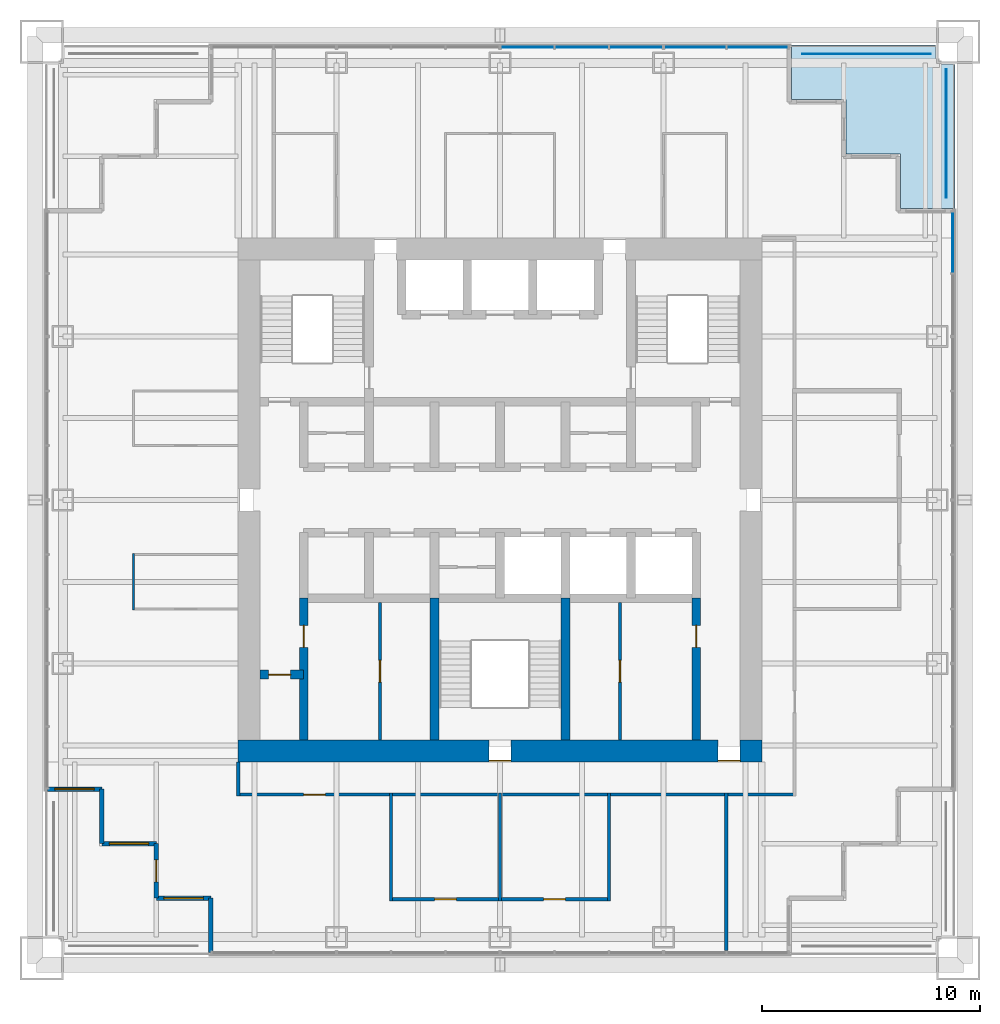
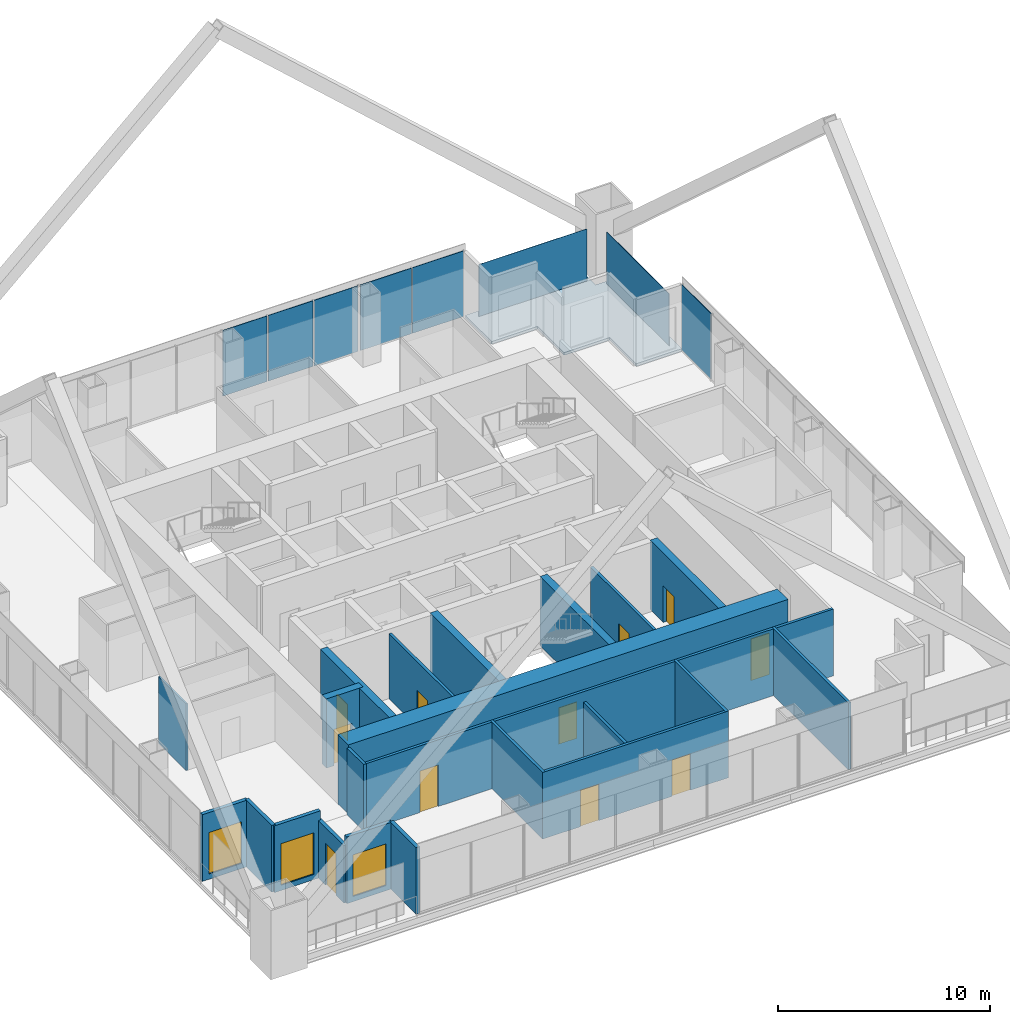
# One storey, part 13 of 18: 22 walls, 11 doors, 8 plates, 3 windows, 1 slab, 14 openings, 3 elements without a shape of their own.
"""IFC4 building model written with IfcOpenShell, lengths in metres."""

from ifc_helpers import new_model, si_unit, direction, frame, frame_2d, origin, origin_2d, place, context, subcontext, project, spatial, polyline, rectangle, outline, extrude, material, layer, layer_set, type_object, element, fill, aggregate, save


model = new_model("IFC4")

# Units and contexts
model_context = context("Model", 3, precision=1e-05, world=origin(), true_north=direction((0.0, 1.0)))
body_context = subcontext(model_context, "Body", "Model", "MODEL_VIEW")
ifc_project = project(units=[si_unit("LENGTHUNIT", "METRE"), si_unit("AREAUNIT", "SQUARE_METRE"), si_unit("VOLUMEUNIT", "CUBIC_METRE"), si_unit("PLANEANGLEUNIT", "RADIAN"), si_unit("MASSUNIT", "GRAM", prefix="KILO")], contexts=[model_context])

# Site, building, storey
site_placement = place(None, origin())
site = spatial("IfcSite", under=ifc_project, at=site_placement, CompositionType="ELEMENT")
building_placement = place(site_placement, origin())
building = spatial("IfcBuilding", under=site, at=building_placement, Name="Tarangal Relay Tower", CompositionType="ELEMENT")
storey_placement = place(building_placement, frame((0.0, 0.0, 295.89990234375)))
storey = spatial("IfcBuildingStorey", under=building, at=storey_placement, Name="L65", CompositionType="ELEMENT", Elevation=295.89990234375)

# Curtain wall, plates
ifc_material_1 = material(Name="Unitised curtain wall, dark glass and black aluminium", Category="aluminium")
curtain_wall_type = type_object("IfcCurtainWallType", Name="Curtain wall CW-B", PredefinedType="USERDEFINED", material=ifc_material_1)
curtain_wall_1_placement = place(storey_placement, origin())
curtain_wall_1 = element("IfcCurtainWall", 1, at=curtain_wall_1_placement, inside=storey, type_object=curtain_wall_type, Name="Curtain wall CW-B N facade L65", ObjectType="UNITISED CURTAIN WALL", PredefinedType="USERDEFINED")
ifc_material_2 = material(Name="Dark tinted insulated glass unit", Category="glass")
ifc_layer_1 = layer(ifc_material_2, 0.030029296875)
ifc_layer_set_1 = layer_set([ifc_layer_1], Name="Glazed panel CW-B 30")
plate_type_1 = type_object("IfcPlateType", Name="Glazed panel CW-B 30", PredefinedType="CURTAIN_PANEL", material=ifc_layer_set_1)
plate_1_placement = place(storey_placement, frame((1.264892578125, 20.75, 0.06005859375), z_axis=(0.0, 0.0, 1.0), x_axis=(1.0, 0.0, 0.0)))
plate_1 = element("IfcPlate", 2, at=plate_1_placement, type_object=plate_type_1, Name="CW-B panel 1.1", PredefinedType="CURTAIN_PANEL", context=body_context, shape_type="SweptSolid", body=[
    extrude(rectangle(XDim=2.409912109375, YDim=0.030029296875, at=origin_2d()), origin(), (0.0, 0.0, 1.0), 3.7900390625),
])
plate_2_placement = place(storey_placement, frame((3.75, 20.75, 0.06005859375), z_axis=(0.0, 0.0, 1.0), x_axis=(1.0, 0.0, 0.0)))
plate_2 = element("IfcPlate", 3, at=plate_2_placement, type_object=plate_type_1, Name="CW-B panel 2.1", PredefinedType="CURTAIN_PANEL", context=body_context, shape_type="SweptSolid", body=[
    extrude(rectangle(XDim=2.43994140625, YDim=0.030029296875, at=origin_2d()), origin(), (0.0, 0.0, 1.0), 3.7900390625),
])
plate_3_placement = place(storey_placement, frame((6.235107421875, 20.75, 0.06005859375), z_axis=(0.0, 0.0, 1.0), x_axis=(1.0, 0.0, 0.0)))
plate_3 = element("IfcPlate", 4, at=plate_3_placement, type_object=plate_type_1, Name="CW-B panel 3.1", PredefinedType="CURTAIN_PANEL", context=body_context, shape_type="SweptSolid", body=[
    extrude(rectangle(XDim=2.409912109375, YDim=0.030029296875, at=origin_2d()), origin(), (0.0, 0.0, 1.0), 3.7900390625),
])
aggregate(curtain_wall_1, [plate_1, plate_2, plate_3])

curtain_wall_2_placement = place(storey_placement, origin())
curtain_wall_2 = element("IfcCurtainWall", 5, at=curtain_wall_2_placement, inside=storey, type_object=curtain_wall_type, Name="Curtain wall CW-B N facade L65", ObjectType="UNITISED CURTAIN WALL", PredefinedType="USERDEFINED")
plate_4_placement = place(storey_placement, frame((8.952392578125, 20.75, 0.06005859375), z_axis=(0.0, 0.0, 1.0), x_axis=(1.0, 0.0, 0.0)))
plate_4 = element("IfcPlate", 6, at=plate_4_placement, type_object=plate_type_1, Name="CW-B panel 1.1", PredefinedType="CURTAIN_PANEL", context=body_context, shape_type="SweptSolid", body=[
    extrude(rectangle(XDim=2.784912109375, YDim=0.030029296875, at=origin_2d()), origin(), (0.0, 0.0, 1.0), 3.7900390625),
])
plate_5_placement = place(storey_placement, frame((11.797607421875, 20.75, 0.06005859375), z_axis=(0.0, 0.0, 1.0), x_axis=(1.0, 0.0, 0.0)))
plate_5 = element("IfcPlate", 7, at=plate_5_placement, type_object=plate_type_1, Name="CW-B panel 2.1", PredefinedType="CURTAIN_PANEL", context=body_context, shape_type="SweptSolid", body=[
    extrude(rectangle(XDim=2.784912109375, YDim=0.030029296875, at=origin_2d()), origin(), (0.0, 0.0, 1.0), 3.7900390625),
])
aggregate(curtain_wall_2, [plate_4, plate_5])

# Curtain wall, plate
curtain_wall_3_placement = place(storey_placement, origin())
curtain_wall_3 = element("IfcCurtainWall", 8, at=curtain_wall_3_placement, inside=storey, type_object=curtain_wall_type, Name="Curtain wall CW-B E facade L65", ObjectType="UNITISED CURTAIN WALL", PredefinedType="USERDEFINED")
plate_6_placement = place(storey_placement, frame((20.75, 11.797607421875, 0.06005859375), z_axis=(0.0, 0.0, 1.0), x_axis=(0.0, -1.0, 0.0)))
plate_6 = element("IfcPlate", 9, at=plate_6_placement, type_object=plate_type_1, Name="CW-B panel 1.1", PredefinedType="CURTAIN_PANEL", context=body_context, shape_type="SweptSolid", body=[
    extrude(rectangle(XDim=2.784912109375, YDim=0.030029296875, at=origin_2d()), origin(), (0.0, 0.0, 1.0), 3.7900390625),
])
aggregate(curtain_wall_3, [plate_6])

# Plates
ifc_material_3 = material(Name="Black stainless steel cable trellis with climbing planting", Category="steel")
ifc_layer_2 = layer(ifc_material_3, 0.030029296875)
ifc_layer_set_2 = layer_set([ifc_layer_2], Name="Planted trellis screen")
plate_type_2 = type_object("IfcPlateType", Name="Planted trellis screen", PredefinedType="SHEET", material=ifc_layer_set_2)
plate_7_placement = place(storey_placement, frame((20.449951171875, 16.800048828125, 0.0), z_axis=(0.0, 0.0, 1.0), x_axis=(0.0, -1.0, 0.0)))
element("IfcPlate", 10, at=plate_7_placement, inside=storey, type_object=plate_type_2, Name="Planted trellis SC2 NE L65", PredefinedType="SHEET", context=body_context, shape_type="SweptSolid", body=[
    extrude(rectangle(XDim=5.89990234375, YDim=0.030029296875, at=origin_2d()), origin(), (0.0, 0.0, 1.0), 3.0),
])
ifc_material_4 = material(Name="Perforated black aluminium screen", Category="aluminium")
ifc_layer_3 = layer(ifc_material_4, 0.02001953125)
ifc_layer_set_3 = layer_set([ifc_layer_3], Name="Terrace screen panel")
plate_type_3 = type_object("IfcPlateType", Name="Terrace screen panel", PredefinedType="SHEET", material=ifc_layer_set_3)
plate_8_placement = place(storey_placement, frame((16.800048828125, 20.449951171875, 0.0), z_axis=(0.0, 0.0, 1.0), x_axis=(1.0, 0.0, 0.0)))
element("IfcPlate", 11, at=plate_8_placement, inside=storey, type_object=plate_type_3, Name="Terrace screen SC1 NE L65", PredefinedType="SHEET", context=body_context, shape_type="SweptSolid", body=[
    extrude(rectangle(XDim=5.89990234375, YDim=0.02001953125, at=origin_2d()), origin(), (0.0, 0.0, 1.0), 3.0),
])

# Slab
ifc_material_5 = material(Name="Concrete fc' 35 MPa", Category="concrete")
ifc_layer_4 = layer(ifc_material_5, 0.14990234375)
ifc_layer_set_4 = layer_set([ifc_layer_4], Name="Terrace slab 150")
slab_type = type_object("IfcSlabType", Name="Terrace slab 150", PredefinedType="FLOOR", material=ifc_layer_set_4)
slab_placement = place(storey_placement, frame((0.0, 0.0, -0.14990234375)))
element("IfcSlab", 12, at=slab_placement, inside=storey, type_object=slab_type, Name="Corner terrace NE L65", PredefinedType="FLOOR", context=body_context, shape_type="SweptSolid", body=[
    extrude(outline(polyline([(13.35009765625, 20.85009765625), (13.35009765625, 18.35009765625), (15.85009765625, 18.35009765625), (15.85009765625, 15.85009765625), (18.35009765625, 15.85009765625), (18.35009765625, 13.35009765625), (20.85009765625, 13.35009765625), (20.85009765625, 19.949951171875), (19.949951171875, 19.949951171875), (19.949951171875, 20.85009765625), (13.35009765625, 20.85009765625)])), origin(), (0.0, 0.0, 1.0), 0.14990234375),
])

# Wall, opening, door
ifc_material_6 = material(Name="Concrete fc' 60 MPa", Category="concrete")
ifc_layer_5 = layer(ifc_material_6, 0.39990234375)
ifc_layer_set_5 = layer_set([ifc_layer_5], Name="Core inner wall 400")
wall_type_1 = type_object("IfcWallType", Name="Core inner wall 400", PredefinedType="SHEAR", material=ifc_layer_set_5)
wall_1_placement = place(storey_placement, frame((-11.0, -8.0, 0.0), z_axis=(0.0, 0.0, 1.0), x_axis=(1.0, 0.0, 0.0)))
wall_1 = element("IfcWall", 13, at=wall_1_placement, inside=storey, type_object=wall_type_1, Name="Core wall YM8 L65", PredefinedType="SHEAR", context=body_context, shape_type="SweptSolid", body=[
    extrude(rectangle(XDim=2.0, YDim=0.39990234375, at=frame_2d((1.0, 0.0))), origin(), (0.0, 0.0, 1.0), 4.0),
])
opening_1_placement = place(wall_1_placement, frame((0.39990234375, 0.0, 0.0)))
opening_1 = element("IfcOpeningElement", 14, at=opening_1_placement, cuts=wall_1, Name="Opening D1", PredefinedType="OPENING", context=body_context, shape_type="SweptSolid", body=[
    extrude(rectangle(XDim=1.0, YDim=2.10009765625, at=frame_2d((0.5, 1.050048828125))), frame((0.0, 0.2099609375, 0.0), z_axis=(0.0, -1.0, 0.0), x_axis=(1.0, 0.0, 0.0)), (0.0, 0.0, 1.0), 0.419921875),
])
ifc_material_7 = material(Name="Hardwood door", Category="wood")
door_type_1 = type_object("IfcDoorType", Name="WC door 1000 x 2100", OperationType="SINGLE_SWING_LEFT", PredefinedType="DOOR", material=ifc_material_7)
door_1_placement = place(opening_1_placement, origin())
door_1 = element("IfcDoor", 15, at=door_1_placement, inside=storey, type_object=door_type_1, Name="Accessible WC door L65", OperationType="SINGLE_SWING_LEFT", OverallHeight=2.10009765625, OverallWidth=1.0, PredefinedType="DOOR", context=body_context, shape_type="SweptSolid", body=[
    extrude(rectangle(XDim=1.0, YDim=2.10009765625, at=frame_2d((0.5, 1.050048828125))), frame((0.0, 0.02490234375, 0.0), z_axis=(0.0, -1.0, 0.0), x_axis=(1.0, 0.0, 0.0)), (0.0, 0.0, 1.0), 0.050048828125),
])
fill(opening_1, door_1)

wall_2_placement = place(storey_placement, frame((-9.0, -11.0, 0.0), z_axis=(0.0, 0.0, 1.0), x_axis=(0.0, 1.0, 0.0)))
wall_2 = element("IfcWall", 16, at=wall_2_placement, inside=storey, type_object=wall_type_1, Name="Core wall XM9W L65", PredefinedType="SHEAR", context=body_context, shape_type="SweptSolid", body=[
    extrude(rectangle(XDim=6.5, YDim=0.39990234375, at=frame_2d((3.25, 0.0))), origin(), (0.0, 0.0, 1.0), 4.0),
])
opening_2_placement = place(wall_2_placement, frame((4.25, 0.0, 0.0)))
opening_2 = element("IfcOpeningElement", 17, at=opening_2_placement, cuts=wall_2, Name="Opening D1", PredefinedType="OPENING", context=body_context, shape_type="SweptSolid", body=[
    extrude(rectangle(XDim=1.0, YDim=2.10009765625, at=frame_2d((0.5, 1.050048828125))), frame((0.0, 0.2099609375, 0.0), z_axis=(0.0, -1.0, 0.0), x_axis=(1.0, 0.0, 0.0)), (0.0, 0.0, 1.0), 0.419921875),
])
door_2_placement = place(opening_2_placement, origin())
door_2 = element("IfcDoor", 18, at=door_2_placement, inside=storey, type_object=door_type_1, Name="Male WC door L65", OperationType="SINGLE_SWING_LEFT", OverallHeight=2.10009765625, OverallWidth=1.0, PredefinedType="DOOR", context=body_context, shape_type="SweptSolid", body=[
    extrude(rectangle(XDim=1.0, YDim=2.10009765625, at=frame_2d((0.5, 1.050048828125))), frame((0.0, 0.02490234375, 0.0), z_axis=(0.0, -1.0, 0.0), x_axis=(1.0, 0.0, 0.0)), (0.0, 0.0, 1.0), 0.050048828125),
])
fill(opening_2, door_2)

wall_3_placement = place(storey_placement, frame((9.0, -11.0, 0.0), z_axis=(0.0, 0.0, 1.0), x_axis=(0.0, 1.0, 0.0)))
wall_3 = element("IfcWall", 19, at=wall_3_placement, inside=storey, type_object=wall_type_1, Name="Core wall X9W L65", PredefinedType="SHEAR", context=body_context, shape_type="SweptSolid", body=[
    extrude(rectangle(XDim=6.5, YDim=0.39990234375, at=frame_2d((3.25, 0.0))), origin(), (0.0, 0.0, 1.0), 4.0),
])
opening_3_placement = place(wall_3_placement, frame((4.25, 0.0, 0.0)))
opening_3 = element("IfcOpeningElement", 20, at=opening_3_placement, cuts=wall_3, Name="Opening D1", PredefinedType="OPENING", context=body_context, shape_type="SweptSolid", body=[
    extrude(rectangle(XDim=1.0, YDim=2.10009765625, at=frame_2d((0.5, 1.050048828125))), frame((0.0, 0.2099609375, 0.0), z_axis=(0.0, -1.0, 0.0), x_axis=(1.0, 0.0, 0.0)), (0.0, 0.0, 1.0), 0.419921875),
])
door_3_placement = place(opening_3_placement, origin())
door_3 = element("IfcDoor", 21, at=door_3_placement, inside=storey, type_object=door_type_1, Name="Female WC door L65", OperationType="SINGLE_SWING_LEFT", OverallHeight=2.10009765625, OverallWidth=1.0, PredefinedType="DOOR", context=body_context, shape_type="SweptSolid", body=[
    extrude(rectangle(XDim=1.0, YDim=2.10009765625, at=frame_2d((0.5, 1.050048828125))), frame((0.0, 0.02490234375, 0.0), z_axis=(0.0, -1.0, 0.0), x_axis=(1.0, 0.0, 0.0)), (0.0, 0.0, 1.0), 0.050048828125),
])
fill(opening_3, door_3)

# Walls
for number, where, z_axis, x_axis, name in (
    (22, (-3.0, -11.0, 0.0), (0.0, 0.0, 1.0), (0.0, 1.0, 0.0), "Core wall XM3W L65"),
    (23, (3.0, -11.0, 0.0), (0.0, 0.0, 1.0), (0.0, 1.0, 0.0), "Core wall X3W L65"),
):
    element("IfcWall", number, at=place(storey_placement, frame(where, z_axis=z_axis, x_axis=x_axis)), inside=storey, type_object=wall_type_1, Name=name, PredefinedType="SHEAR", context=body_context, shape_type="SweptSolid", body=[
        extrude(rectangle(XDim=6.5, YDim=0.39990234375, at=frame_2d((3.25, 0.0))), origin(), (0.0, 0.0, 1.0), 4.0),
    ])

# Wall, openings, doors
ifc_layer_6 = layer(ifc_material_6, 1.0)
ifc_layer_set_6 = layer_set([ifc_layer_6], Name="Core wall 1000")
wall_type_2 = type_object("IfcWallType", Name="Core wall 1000", PredefinedType="SHEAR", material=ifc_layer_set_6)
wall_4_placement = place(storey_placement, frame((12.0, -11.5, 0.0), z_axis=(0.0, 0.0, 1.0), x_axis=(-1.0, 0.0, 0.0)))
wall_4 = element("IfcWall", 24, at=wall_4_placement, inside=storey, type_object=wall_type_2, Name="Core wall S L65", PredefinedType="SHEAR", context=body_context, shape_type="SweptSolid", body=[
    extrude(rectangle(XDim=24.0, YDim=1.0, at=frame_2d((12.0, 0.0))), origin(), (0.0, 0.0, 1.0), 4.0),
])
opening_4_placement = place(wall_4_placement, frame((11.5, 0.0, 0.0)))
opening_4 = element("IfcOpeningElement", 25, at=opening_4_placement, cuts=wall_4, Name="Opening FD1", PredefinedType="OPENING", context=body_context, shape_type="SweptSolid", body=[
    extrude(rectangle(XDim=1.0, YDim=2.10009765625, at=frame_2d((0.5, 1.050048828125))), frame((0.0, 0.510009765625, 0.0), z_axis=(0.0, -1.0, 0.0), x_axis=(1.0, 0.0, 0.0)), (0.0, 0.0, 1.0), 1.02001953125),
])
opening_5_placement = place(wall_4_placement, frame((1.0, 0.0, 0.0)))
opening_5 = element("IfcOpeningElement", 26, at=opening_5_placement, cuts=wall_4, Name="Opening FD3", PredefinedType="OPENING", context=body_context, shape_type="SweptSolid", body=[
    extrude(rectangle(XDim=1.0, YDim=2.39990234375, at=frame_2d((0.5, 1.199951171875))), frame((0.0, 0.510009765625, 0.0), z_axis=(0.0, -1.0, 0.0), x_axis=(1.0, 0.0, 0.0)), (0.0, 0.0, 1.0), 1.02001953125),
])
ifc_material_8 = material(Name="Steel door with hardwood frame", Category="steel")
door_type_2 = type_object("IfcDoorType", Name="Fire door 1000 x 2100", OperationType="SINGLE_SWING_LEFT", PredefinedType="DOOR", material=ifc_material_8)
door_4_placement = place(opening_4_placement, origin())
door_4 = element("IfcDoor", 27, at=door_4_placement, inside=storey, type_object=door_type_2, Name="Stair ST-C door L65", OperationType="SINGLE_SWING_LEFT", OverallHeight=2.10009765625, OverallWidth=1.0, PredefinedType="DOOR", context=body_context, shape_type="SweptSolid", body=[
    extrude(rectangle(XDim=1.0, YDim=2.10009765625, at=frame_2d((0.5, 1.050048828125))), frame((0.0, 0.48486328125, 0.0), z_axis=(0.0, -1.0, 0.0), x_axis=(1.0, 0.0, 0.0)), (0.0, 0.0, 1.0), 0.050048828125),
])
fill(opening_4, door_4)
door_type_3 = type_object("IfcDoorType", Name="Fire door 1000 x 2400 core entry", OperationType="SINGLE_SWING_RIGHT", PredefinedType="DOOR", material=ifc_material_8)
door_5_placement = place(opening_5_placement, origin())
door_5 = element("IfcDoor", 28, at=door_5_placement, inside=storey, type_object=door_type_3, Name="Core entry door south east L65", OperationType="SINGLE_SWING_RIGHT", OverallHeight=2.39990234375, OverallWidth=1.0, PredefinedType="DOOR", context=body_context, shape_type="SweptSolid", body=[
    extrude(rectangle(XDim=1.0, YDim=2.39990234375, at=frame_2d((0.5, 1.199951171875))), frame((0.0, 0.48486328125, 0.0), z_axis=(0.0, -1.0, 0.0), x_axis=(1.0, 0.0, 0.0)), (0.0, 0.0, 1.0), 0.050048828125),
])
fill(opening_5, door_5)

# Wall
ifc_material_9 = material(Name="Black metal clad insulated wall", Category="steel")
ifc_layer_7 = layer(ifc_material_9, 0.199951171875)
ifc_layer_set_7 = layer_set([ifc_layer_7], Name="Corner wall metal clad 200")
wall_type_3 = type_object("IfcWallType", Name="Corner wall metal clad 200", PredefinedType="SOLIDWALL", material=ifc_layer_set_7)
wall_5_placement = place(storey_placement, frame((-13.25, -20.75, 0.0), z_axis=(0.0, 0.0, 1.0), x_axis=(0.0, 1.0, 0.0)))
element("IfcWall", 29, at=wall_5_placement, inside=storey, type_object=wall_type_3, Name="Facade wall S facade L65", PredefinedType="SOLIDWALL", context=body_context, shape_type="SweptSolid", body=[
    extrude(rectangle(XDim=2.5, YDim=0.199951171875, at=frame_2d((1.25, 0.0))), origin(), (0.0, 0.0, 1.0), 3.85009765625),
])

# Wall, opening, window
wall_6_placement = place(storey_placement, frame((-13.25, -18.25, 0.0), z_axis=(0.0, 0.0, 1.0), x_axis=(-1.0, 0.0, 0.0)))
wall_6 = element("IfcWall", 30, at=wall_6_placement, inside=storey, type_object=wall_type_3, Name="Facade wall S facade L65", PredefinedType="SOLIDWALL", context=body_context, shape_type="SweptSolid", body=[
    extrude(rectangle(XDim=2.5, YDim=0.199951171875, at=frame_2d((1.25, 0.0))), origin(), (0.0, 0.0, 1.0), 3.85009765625),
])
opening_6_placement = place(wall_6_placement, frame((0.35009765625, 0.0, 0.300048828125)))
opening_6 = element("IfcOpeningElement", 31, at=opening_6_placement, cuts=wall_6, Name="Opening WN2", PredefinedType="OPENING", context=body_context, shape_type="SweptSolid", body=[
    extrude(rectangle(XDim=1.800048828125, YDim=2.39990234375, at=frame_2d((0.89990234375, 1.199951171875))), frame((0.0, 0.10986328125, 0.0), z_axis=(0.0, -1.0, 0.0), x_axis=(1.0, 0.0, 0.0)), (0.0, 0.0, 1.0), 0.219970703125),
])
ifc_material_10 = material(Name="Dark tinted double glazing in black aluminium frame", Category="aluminium")
window_type = type_object("IfcWindowType", Name="Corner window 1800 x 2400", PartitioningType="SINGLE_PANEL", PredefinedType="WINDOW", material=ifc_material_10)
window_1_placement = place(opening_6_placement, origin())
window_1 = element("IfcWindow", 32, at=window_1_placement, inside=storey, type_object=window_type, Name="Corner window WN2 S facade L65", OverallHeight=2.39990234375, OverallWidth=1.800048828125, PartitioningType="SINGLE_PANEL", PredefinedType="WINDOW", context=body_context, shape_type="SweptSolid", body=[
    extrude(rectangle(XDim=1.800048828125, YDim=2.39990234375, at=frame_2d((0.89990234375, 1.199951171875))), frame((0.0, 0.030029296875, 0.0), z_axis=(0.0, -1.0, 0.0), x_axis=(1.0, 0.0, 0.0)), (0.0, 0.0, 1.0), 0.06005859375),
])
fill(opening_6, window_1)

# Wall, opening, door
wall_7_placement = place(storey_placement, frame((-15.75, -18.25, 0.0), z_axis=(0.0, 0.0, 1.0), x_axis=(0.0, 1.0, 0.0)))
wall_7 = element("IfcWall", 33, at=wall_7_placement, inside=storey, type_object=wall_type_3, Name="Facade wall S facade L65", PredefinedType="SOLIDWALL", context=body_context, shape_type="SweptSolid", body=[
    extrude(rectangle(XDim=2.5, YDim=0.199951171875, at=frame_2d((1.25, 0.0))), origin(), (0.0, 0.0, 1.0), 3.316650390625),
])
opening_7_placement = place(wall_7_placement, frame((0.75, 0.0, 0.0)))
opening_7 = element("IfcOpeningElement", 34, at=opening_7_placement, cuts=wall_7, Name="Opening TD1", PredefinedType="OPENING", context=body_context, shape_type="SweptSolid", body=[
    extrude(rectangle(XDim=1.0, YDim=2.39990234375, at=frame_2d((0.5, 1.199951171875))), frame((0.0, 0.10986328125, 0.0), z_axis=(0.0, -1.0, 0.0), x_axis=(1.0, 0.0, 0.0)), (0.0, 0.0, 1.0), 0.219970703125),
])
ifc_material_11 = material(Name="Aluminium glazed door", Category="aluminium")
door_type_4 = type_object("IfcDoorType", Name="Terrace door 1000 x 2400", OperationType="SINGLE_SWING_RIGHT", PredefinedType="DOOR", material=ifc_material_11)
door_6_placement = place(opening_7_placement, origin())
door_6 = element("IfcDoor", 35, at=door_6_placement, inside=storey, type_object=door_type_4, Name="Terrace door TD1 SW L65", OperationType="SINGLE_SWING_RIGHT", OverallHeight=2.39990234375, OverallWidth=1.0, PredefinedType="DOOR", context=body_context, shape_type="SweptSolid", body=[
    extrude(rectangle(XDim=1.0, YDim=2.39990234375, at=frame_2d((0.5, 1.199951171875))), frame((0.0, 0.02490234375, 0.0), z_axis=(0.0, -1.0, 0.0), x_axis=(1.0, 0.0, 0.0)), (0.0, 0.0, 1.0), 0.050048828125),
])
fill(opening_7, door_6)

# Wall, opening, window
wall_8_placement = place(storey_placement, frame((-15.75, -15.75, 0.0), z_axis=(0.0, 0.0, 1.0), x_axis=(-1.0, 0.0, 0.0)))
wall_8 = element("IfcWall", 36, at=wall_8_placement, inside=storey, type_object=wall_type_3, Name="Facade wall S facade L65", PredefinedType="SOLIDWALL", context=body_context, shape_type="SweptSolid", body=[
    extrude(rectangle(XDim=2.5, YDim=0.199951171875, at=frame_2d((1.25, 0.0))), origin(), (0.0, 0.0, 1.0), 3.85009765625),
])
opening_8_placement = place(wall_8_placement, frame((0.35009765625, 0.0, 0.300048828125)))
opening_8 = element("IfcOpeningElement", 37, at=opening_8_placement, cuts=wall_8, Name="Opening WN2", PredefinedType="OPENING", context=body_context, shape_type="SweptSolid", body=[
    extrude(rectangle(XDim=1.800048828125, YDim=2.39990234375, at=frame_2d((0.89990234375, 1.199951171875))), frame((0.0, 0.10986328125, 0.0), z_axis=(0.0, -1.0, 0.0), x_axis=(1.0, 0.0, 0.0)), (0.0, 0.0, 1.0), 0.219970703125),
])
window_2_placement = place(opening_8_placement, origin())
window_2 = element("IfcWindow", 38, at=window_2_placement, inside=storey, type_object=window_type, Name="Corner window WN2 S facade L65", OverallHeight=2.39990234375, OverallWidth=1.800048828125, PartitioningType="SINGLE_PANEL", PredefinedType="WINDOW", context=body_context, shape_type="SweptSolid", body=[
    extrude(rectangle(XDim=1.800048828125, YDim=2.39990234375, at=frame_2d((0.89990234375, 1.199951171875))), frame((0.0, 0.030029296875, 0.0), z_axis=(0.0, -1.0, 0.0), x_axis=(1.0, 0.0, 0.0)), (0.0, 0.0, 1.0), 0.06005859375),
])
fill(opening_8, window_2)

# Wall
wall_9_placement = place(storey_placement, frame((-18.25, -15.75, 0.0), z_axis=(0.0, 0.0, 1.0), x_axis=(0.0, 1.0, 0.0)))
element("IfcWall", 39, at=wall_9_placement, inside=storey, type_object=wall_type_3, Name="Facade wall S facade L65", PredefinedType="SOLIDWALL", context=body_context, shape_type="SweptSolid", body=[
    extrude(rectangle(XDim=2.5, YDim=0.199951171875, at=frame_2d((1.25, 0.0))), origin(), (0.0, 0.0, 1.0), 3.85009765625),
])

# Wall, opening, window
wall_10_placement = place(storey_placement, frame((-18.25, -13.25, 0.0), z_axis=(0.0, 0.0, 1.0), x_axis=(-1.0, 0.0, 0.0)))
wall_10 = element("IfcWall", 40, at=wall_10_placement, inside=storey, type_object=wall_type_3, Name="Facade wall S facade L65", PredefinedType="SOLIDWALL", context=body_context, shape_type="SweptSolid", body=[
    extrude(rectangle(XDim=2.5, YDim=0.199951171875, at=frame_2d((1.25, 0.0))), origin(), (0.0, 0.0, 1.0), 3.85009765625),
])
opening_9_placement = place(wall_10_placement, frame((0.35009765625, 0.0, 0.300048828125)))
opening_9 = element("IfcOpeningElement", 41, at=opening_9_placement, cuts=wall_10, Name="Opening WN2", PredefinedType="OPENING", context=body_context, shape_type="SweptSolid", body=[
    extrude(rectangle(XDim=1.800048828125, YDim=2.39990234375, at=frame_2d((0.89990234375, 1.199951171875))), frame((0.0, 0.10986328125, 0.0), z_axis=(0.0, -1.0, 0.0), x_axis=(1.0, 0.0, 0.0)), (0.0, 0.0, 1.0), 0.219970703125),
])
window_3_placement = place(opening_9_placement, origin())
window_3 = element("IfcWindow", 42, at=window_3_placement, inside=storey, type_object=window_type, Name="Corner window WN2 S facade L65", OverallHeight=2.39990234375, OverallWidth=1.800048828125, PartitioningType="SINGLE_PANEL", PredefinedType="WINDOW", context=body_context, shape_type="SweptSolid", body=[
    extrude(rectangle(XDim=1.800048828125, YDim=2.39990234375, at=frame_2d((0.89990234375, 1.199951171875))), frame((0.0, 0.030029296875, 0.0), z_axis=(0.0, -1.0, 0.0), x_axis=(1.0, 0.0, 0.0)), (0.0, 0.0, 1.0), 0.06005859375),
])
fill(opening_9, window_3)

# Wall
ifc_material_12 = material(Name="Double glazed aluminium framed partition", Category="aluminium")
ifc_layer_8 = layer(ifc_material_12, 0.10009765625)
ifc_layer_set_8 = layer_set([ifc_layer_8], Name="Glazed partition 100")
wall_type_4 = type_object("IfcWallType", Name="Glazed partition 100", PredefinedType="PARTITIONING", material=ifc_layer_set_8)
wall_11_placement = place(storey_placement, frame((-16.800048828125, -5.050048828125, 0.0), z_axis=(0.0, 0.0, 1.0), x_axis=(0.0, 1.0, 0.0)))
element("IfcWall", 43, at=wall_11_placement, inside=storey, type_object=wall_type_4, Name="Partition PT3 L65", PredefinedType="PARTITIONING", context=body_context, shape_type="SweptSolid", body=[
    extrude(rectangle(XDim=2.60009765625, YDim=0.10009765625, at=frame_2d((1.300048828125, 0.0))), origin(), (0.0, 0.0, 1.0), 3.85009765625),
])

# Wall, openings, doors
ifc_material_13 = material(Name="Gypsum board on steel studs", Category="steel")
ifc_layer_9 = layer(ifc_material_13, 0.14990234375)
ifc_layer_set_9 = layer_set([ifc_layer_9], Name="Partition 150")
wall_type_5 = type_object("IfcWallType", Name="Partition 150", PredefinedType="PARTITIONING", material=ifc_layer_set_9)
wall_12_placement = place(storey_placement, frame((-5.074951171875, -18.300048828125, 0.0), z_axis=(0.0, 0.0, 1.0), x_axis=(1.0, 0.0, 0.0)))
wall_12 = element("IfcWall", 44, at=wall_12_placement, inside=storey, type_object=wall_type_5, Name="Partition PT1 L65", PredefinedType="PARTITIONING", context=body_context, shape_type="SweptSolid", body=[
    extrude(rectangle(XDim=10.14990234375, YDim=0.14990234375, at=frame_2d((5.074951171875, 0.0))), origin(), (0.0, 0.0, 1.0), 3.85009765625),
])
opening_10_placement = place(wall_12_placement, frame((7.074951171875, 0.0, 0.0)))
opening_10 = element("IfcOpeningElement", 45, at=opening_10_placement, cuts=wall_12, Name="Opening D2", PredefinedType="OPENING", context=body_context, shape_type="SweptSolid", body=[
    extrude(rectangle(XDim=1.0, YDim=2.10009765625, at=frame_2d((0.5, 1.050048828125))), frame((0.0, 0.0849609375, 0.0), z_axis=(0.0, -1.0, 0.0), x_axis=(1.0, 0.0, 0.0)), (0.0, 0.0, 1.0), 0.169921875),
])
opening_11_placement = place(wall_12_placement, frame((2.074951171875, 0.0, 0.0)))
opening_11 = element("IfcOpeningElement", 46, at=opening_11_placement, cuts=wall_12, Name="Opening D2", PredefinedType="OPENING", context=body_context, shape_type="SweptSolid", body=[
    extrude(rectangle(XDim=1.0, YDim=2.10009765625, at=frame_2d((0.5, 1.050048828125))), frame((0.0, 0.0849609375, 0.0), z_axis=(0.0, -1.0, 0.0), x_axis=(1.0, 0.0, 0.0)), (0.0, 0.0, 1.0), 0.169921875),
])
door_type_5 = type_object("IfcDoorType", Name="Door 1000 x 2100", OperationType="SINGLE_SWING_LEFT", PredefinedType="DOOR", material=ifc_material_7)
door_7_placement = place(opening_10_placement, origin())
door_7 = element("IfcDoor", 47, at=door_7_placement, inside=storey, type_object=door_type_5, Name="Door D2 to print room L65-07", OperationType="SINGLE_SWING_LEFT", OverallHeight=2.10009765625, OverallWidth=1.0, PredefinedType="DOOR", context=body_context, shape_type="SweptSolid", body=[
    extrude(rectangle(XDim=1.0, YDim=2.10009765625, at=frame_2d((0.5, 1.050048828125))), frame((0.0, 0.02490234375, 0.0), z_axis=(0.0, -1.0, 0.0), x_axis=(1.0, 0.0, 0.0)), (0.0, 0.0, 1.0), 0.050048828125),
])
fill(opening_10, door_7)
door_8_placement = place(opening_11_placement, origin())
door_8 = element("IfcDoor", 48, at=door_8_placement, inside=storey, type_object=door_type_5, Name="Door D2 to tea pantry L65-08", OperationType="SINGLE_SWING_LEFT", OverallHeight=2.10009765625, OverallWidth=1.0, PredefinedType="DOOR", context=body_context, shape_type="SweptSolid", body=[
    extrude(rectangle(XDim=1.0, YDim=2.10009765625, at=frame_2d((0.5, 1.050048828125))), frame((0.0, 0.02490234375, 0.0), z_axis=(0.0, -1.0, 0.0), x_axis=(1.0, 0.0, 0.0)), (0.0, 0.0, 1.0), 0.050048828125),
])
fill(opening_11, door_8)

# Wall, opening, door
wall_13_placement = place(storey_placement, frame((-12.074951171875, -13.5, 0.0), z_axis=(0.0, 0.0, 1.0), x_axis=(1.0, 0.0, 0.0)))
wall_13 = element("IfcWall", 49, at=wall_13_placement, inside=storey, type_object=wall_type_5, Name="Partition PT1 L65", PredefinedType="PARTITIONING", context=body_context, shape_type="SweptSolid", body=[
    extrude(rectangle(XDim=25.64990234375, YDim=0.14990234375, at=frame_2d((12.824951171875, 0.0))), origin(), (0.0, 0.0, 1.0), 3.85009765625),
])
opening_12_placement = place(wall_13_placement, frame((3.074951171875, 0.0, 0.0)))
opening_12 = element("IfcOpeningElement", 50, at=opening_12_placement, cuts=wall_13, Name="Opening SD1", PredefinedType="OPENING", context=body_context, shape_type="SweptSolid", body=[
    extrude(rectangle(XDim=1.0, YDim=2.39990234375, at=frame_2d((0.5, 1.199951171875))), frame((0.0, 0.0849609375, 0.0), z_axis=(0.0, -1.0, 0.0), x_axis=(1.0, 0.0, 0.0)), (0.0, 0.0, 1.0), 0.169921875),
])
door_type_6 = type_object("IfcDoorType", Name="Suite entrance door 1000 x 2400", OperationType="SINGLE_SWING_RIGHT", PredefinedType="DOOR", material=ifc_material_8)
door_9_placement = place(opening_12_placement, origin())
door_9 = element("IfcDoor", 51, at=door_9_placement, inside=storey, type_object=door_type_6, Name="Door SD1 to open plan office L65-12", OperationType="SINGLE_SWING_RIGHT", OverallHeight=2.39990234375, OverallWidth=1.0, PredefinedType="DOOR", context=body_context, shape_type="SweptSolid", body=[
    extrude(rectangle(XDim=1.0, YDim=2.39990234375, at=frame_2d((0.5, 1.199951171875))), frame((0.0, 0.02490234375, 0.0), z_axis=(0.0, -1.0, 0.0), x_axis=(1.0, 0.0, 0.0)), (0.0, 0.0, 1.0), 0.050048828125),
])
fill(opening_12, door_9)

# Walls
wall_14_placement = place(storey_placement, frame((-12.0, -13.574951171875, 0.0), z_axis=(0.0, 0.0, 1.0), x_axis=(0.0, 1.0, 0.0)))
element("IfcWall", 52, at=wall_14_placement, inside=storey, type_object=wall_type_5, Name="Partition PT1 L65", PredefinedType="PARTITIONING", context=body_context, shape_type="SweptSolid", body=[
    extrude(rectangle(XDim=1.574951171875, YDim=0.14990234375, at=frame_2d((0.78759765625, 0.0))), origin(), (0.0, 0.0, 1.0), 3.85009765625),
])
wall_15_placement = place(storey_placement, frame((-5.0, -18.375, 0.0), z_axis=(0.0, 0.0, 1.0), x_axis=(0.0, 1.0, 0.0)))
element("IfcWall", 53, at=wall_15_placement, inside=storey, type_object=wall_type_5, Name="Partition PT1 L65", PredefinedType="PARTITIONING", context=body_context, shape_type="SweptSolid", body=[
    extrude(rectangle(XDim=4.949951171875, YDim=0.14990234375, at=frame_2d((2.47509765625, 0.0))), origin(), (0.0, 0.0, 1.0), 3.85009765625),
])
wall_16_placement = place(storey_placement, frame((0.0, -18.375, 0.0), z_axis=(0.0, 0.0, 1.0), x_axis=(0.0, 1.0, 0.0)))
element("IfcWall", 54, at=wall_16_placement, inside=storey, type_object=wall_type_5, Name="Partition PT1 L65", PredefinedType="PARTITIONING", context=body_context, shape_type="SweptSolid", body=[
    extrude(rectangle(XDim=4.949951171875, YDim=0.14990234375, at=frame_2d((2.47509765625, 0.0))), origin(), (0.0, 0.0, 1.0), 3.2431640625),
])
wall_17_placement = place(storey_placement, frame((5.0, -18.375, 0.0), z_axis=(0.0, 0.0, 1.0), x_axis=(0.0, 1.0, 0.0)))
element("IfcWall", 55, at=wall_17_placement, inside=storey, type_object=wall_type_5, Name="Partition PT1 L65", PredefinedType="PARTITIONING", context=body_context, shape_type="SweptSolid", body=[
    extrude(rectangle(XDim=4.949951171875, YDim=0.14990234375, at=frame_2d((2.47509765625, 0.0))), origin(), (0.0, 0.0, 1.0), 3.85009765625),
])
wall_18_placement = place(storey_placement, frame((10.375, -20.64990234375, 0.0), z_axis=(0.0, 0.0, 1.0), x_axis=(0.0, 1.0, 0.0)))
element("IfcWall", 56, at=wall_18_placement, inside=storey, type_object=wall_type_5, Name="Partition PT1 L65", PredefinedType="PARTITIONING", context=body_context, shape_type="SweptSolid", body=[
    extrude(rectangle(XDim=7.224853515625, YDim=0.14990234375, at=frame_2d((3.6123046875, 0.0))), origin(), (0.0, 0.0, 1.0), 3.85009765625),
])

# Wall, opening, door
wall_19_placement = place(storey_placement, frame((-5.5, -11.0, 0.0), z_axis=(0.0, 0.0, 1.0), x_axis=(0.0, 1.0, 0.0)))
wall_19 = element("IfcWall", 57, at=wall_19_placement, inside=storey, type_object=wall_type_5, Name="Partition PT1 L65", PredefinedType="PARTITIONING", context=body_context, shape_type="SweptSolid", body=[
    extrude(rectangle(XDim=6.300048828125, YDim=0.14990234375, at=frame_2d((3.14990234375, 0.0))), origin(), (0.0, 0.0, 1.0), 3.75),
])
opening_13_placement = place(wall_19_placement, frame((2.64990234375, 0.0, 0.0)))
opening_13 = element("IfcOpeningElement", 58, at=opening_13_placement, cuts=wall_19, Name="Opening D1", PredefinedType="OPENING", context=body_context, shape_type="SweptSolid", body=[
    extrude(rectangle(XDim=1.0, YDim=2.10009765625, at=frame_2d((0.5, 1.050048828125))), frame((0.0, 0.0849609375, 0.0), z_axis=(0.0, -1.0, 0.0), x_axis=(1.0, 0.0, 0.0)), (0.0, 0.0, 1.0), 0.169921875),
])
door_10_placement = place(opening_13_placement, origin())
door_10 = element("IfcDoor", 59, at=door_10_placement, inside=storey, type_object=door_type_1, Name="Door D1 to male shower and changing room L65-C7B", OperationType="SINGLE_SWING_LEFT", OverallHeight=2.10009765625, OverallWidth=1.0, PredefinedType="DOOR", context=body_context, shape_type="SweptSolid", body=[
    extrude(rectangle(XDim=1.0, YDim=2.10009765625, at=frame_2d((0.5, 1.050048828125))), frame((0.0, 0.02490234375, 0.0), z_axis=(0.0, -1.0, 0.0), x_axis=(1.0, 0.0, 0.0)), (0.0, 0.0, 1.0), 0.050048828125),
])
fill(opening_13, door_10)

wall_20_placement = place(storey_placement, frame((5.5, -11.0, 0.0), z_axis=(0.0, 0.0, 1.0), x_axis=(0.0, 1.0, 0.0)))
wall_20 = element("IfcWall", 60, at=wall_20_placement, inside=storey, type_object=wall_type_5, Name="Partition PT1 L65", PredefinedType="PARTITIONING", context=body_context, shape_type="SweptSolid", body=[
    extrude(rectangle(XDim=6.300048828125, YDim=0.14990234375, at=frame_2d((3.14990234375, 0.0))), origin(), (0.0, 0.0, 1.0), 3.75),
])
opening_14_placement = place(wall_20_placement, frame((2.64990234375, 0.0, 0.0)))
opening_14 = element("IfcOpeningElement", 61, at=opening_14_placement, cuts=wall_20, Name="Opening D1", PredefinedType="OPENING", context=body_context, shape_type="SweptSolid", body=[
    extrude(rectangle(XDim=1.0, YDim=2.10009765625, at=frame_2d((0.5, 1.050048828125))), frame((0.0, 0.0849609375, 0.0), z_axis=(0.0, -1.0, 0.0), x_axis=(1.0, 0.0, 0.0)), (0.0, 0.0, 1.0), 0.169921875),
])
door_11_placement = place(opening_14_placement, origin())
door_11 = element("IfcDoor", 62, at=door_11_placement, inside=storey, type_object=door_type_1, Name="Door D1 to female shower and changing room L65-C10B", OperationType="SINGLE_SWING_LEFT", OverallHeight=2.10009765625, OverallWidth=1.0, PredefinedType="DOOR", context=body_context, shape_type="SweptSolid", body=[
    extrude(rectangle(XDim=1.0, YDim=2.10009765625, at=frame_2d((0.5, 1.050048828125))), frame((0.0, 0.02490234375, 0.0), z_axis=(0.0, -1.0, 0.0), x_axis=(1.0, 0.0, 0.0)), (0.0, 0.0, 1.0), 0.050048828125),
])
fill(opening_14, door_11)

save(model, "model.ifc")
